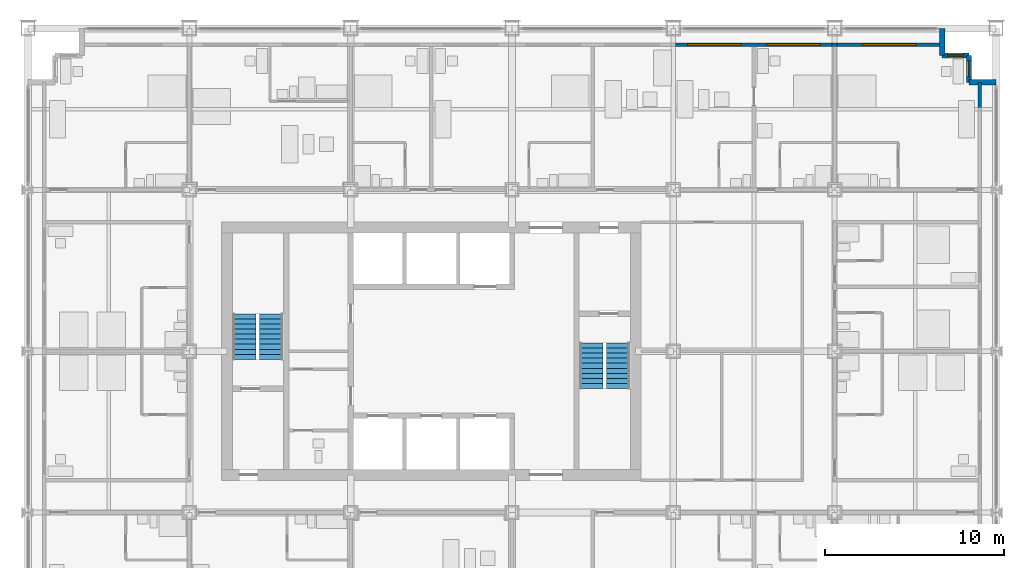
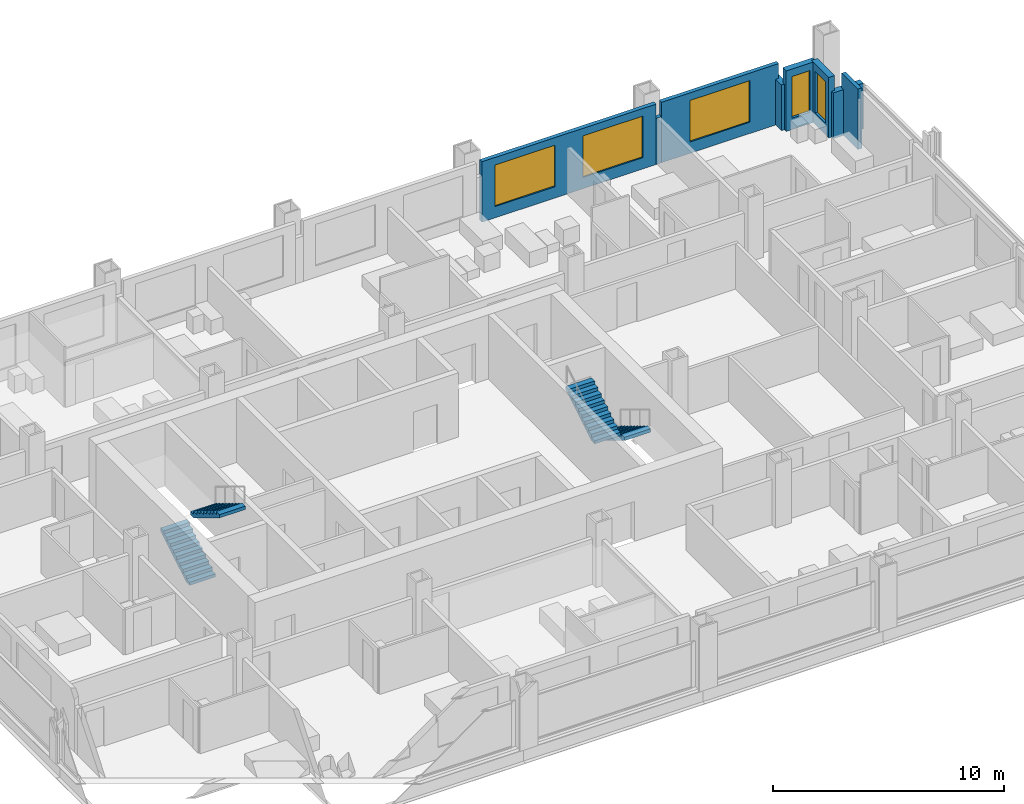
# One storey, part 15 of 18: 8 walls, 5 windows, 4 stair flights, 5 openings, 2 elements without a shape of their own.
"""IFC4 building model written with IfcOpenShell, lengths in metres."""

from ifc_helpers import new_model, si_unit, direction, frame, frame_2d, origin, place, context, subcontext, project, spatial, polyline, rectangle, outline, extrude, material, layer, layer_set, type_object, element, fill, aggregate, save


model = new_model("IFC4")

# Units and contexts
model_context = context("Model", 3, precision=1e-05, world=origin(), true_north=direction((0.0, 1.0)))
body_context = subcontext(model_context, "Body", "Model", "MODEL_VIEW")
ifc_project = project(units=[si_unit("LENGTHUNIT", "METRE"), si_unit("AREAUNIT", "SQUARE_METRE"), si_unit("VOLUMEUNIT", "CUBIC_METRE"), si_unit("PLANEANGLEUNIT", "RADIAN"), si_unit("MASSUNIT", "GRAM", prefix="KILO")], contexts=[model_context])

# Site, building, storey
site_placement = place(None, origin())
site = spatial("IfcSite", under=ifc_project, at=site_placement, CompositionType="ELEMENT")
building_placement = place(site_placement, origin())
building = spatial("IfcBuilding", under=site, at=building_placement, Name="Loomwork Tower", CompositionType="ELEMENT")
storey_placement = place(building_placement, frame((0.0, 0.0, 79.0)))
storey = spatial("IfcBuildingStorey", under=building, at=storey_placement, Name="L20", CompositionType="ELEMENT", Elevation=79.0)

# Wall, openings, windows
ifc_material_1 = material(Name="Insulated steel stud wall with gypsum lining", Category="steel")
ifc_layer_1 = layer(ifc_material_1, 0.199951171875)
ifc_layer_set_1 = layer_set([ifc_layer_1], Name="Inner skin wall 200")
wall_type_1 = type_object("IfcWallType", Name="Inner skin wall 200", PredefinedType="SOLIDWALL", material=ifc_layer_set_1)
wall_1_placement = place(storey_placement, frame((36.135498046875, 35.10009765625, 0.0), z_axis=(0.0, 0.0, 1.0), x_axis=(1.0, 0.0, 0.0)))
wall_1 = element("IfcWall", 1, at=wall_1_placement, inside=storey, type_object=wall_type_1, Name="Inner skin wall N bay 9", PredefinedType="SOLIDWALL", context=body_context, shape_type="SweptSolid", body=[
    extrude(rectangle(XDim=8.72900390625, YDim=0.199951171875, at=frame_2d((4.364501953125, 0.0))), origin(), (0.0, 0.0, 1.0), 3.199951171875),
])
opening_1_placement = place(wall_1_placement, frame((0.66455078125, 0.0, 0.60009765625)))
opening_1 = element("IfcOpeningElement", 2, at=opening_1_placement, cuts=wall_1, Name="Opening CH1", PredefinedType="OPENING", context=body_context, shape_type="SweptSolid", body=[
    extrude(rectangle(XDim=3.0, YDim=2.199951171875, at=frame_2d((1.5, 1.10009765625))), frame((0.0, 0.10986328125, 0.0), z_axis=(0.0, -1.0, 0.0), x_axis=(1.0, 0.0, 0.0)), (0.0, 0.0, 1.0), 0.219970703125),
])
opening_2_placement = place(wall_1_placement, frame((5.064697265625, 0.0, 0.60009765625)))
opening_2 = element("IfcOpeningElement", 3, at=opening_2_placement, cuts=wall_1, Name="Opening CH1", PredefinedType="OPENING", context=body_context, shape_type="SweptSolid", body=[
    extrude(rectangle(XDim=3.0, YDim=2.199951171875, at=frame_2d((1.5, 1.10009765625))), frame((0.0, 0.10986328125, 0.0), z_axis=(0.0, -1.0, 0.0), x_axis=(1.0, 0.0, 0.0)), (0.0, 0.0, 1.0), 0.219970703125),
])
ifc_material_2 = material(Name="Aluminium frame with clear insulated glass", Category="aluminium")
window_type_1 = type_object("IfcWindowType", Name="Chicago window 3000", PartitioningType="TRIPLE_PANEL_VERTICAL", PredefinedType="WINDOW", material=ifc_material_2)
window_1_placement = place(opening_1_placement, origin())
window_1 = element("IfcWindow", 4, at=window_1_placement, inside=storey, type_object=window_type_1, Name="Chicago window L20 bay 11", OverallHeight=2.199951171875, OverallWidth=3.0, PartitioningType="TRIPLE_PANEL_VERTICAL", PredefinedType="WINDOW", context=body_context, shape_type="SweptSolid", body=[
    extrude(rectangle(XDim=3.0, YDim=2.199951171875, at=frame_2d((1.5, 1.10009765625))), frame((0.0, 0.030029296875, 0.0), z_axis=(0.0, -1.0, 0.0), x_axis=(1.0, 0.0, 0.0)), (0.0, 0.0, 1.0), 0.06005859375),
])
fill(opening_1, window_1)
window_2_placement = place(opening_2_placement, origin())
window_2 = element("IfcWindow", 5, at=window_2_placement, inside=storey, type_object=window_type_1, Name="Chicago window L20 bay 11", OverallHeight=2.199951171875, OverallWidth=3.0, PartitioningType="TRIPLE_PANEL_VERTICAL", PredefinedType="WINDOW", context=body_context, shape_type="SweptSolid", body=[
    extrude(rectangle(XDim=3.0, YDim=2.199951171875, at=frame_2d((1.5, 1.10009765625))), frame((0.0, 0.030029296875, 0.0), z_axis=(0.0, -1.0, 0.0), x_axis=(1.0, 0.0, 0.0)), (0.0, 0.0, 1.0), 0.06005859375),
])
fill(opening_2, window_2)

# Wall
wall_2_placement = place(storey_placement, frame((44.864501953125, 35.10009765625, 0.0), z_axis=(0.0, 0.0, 1.0), x_axis=(1.0, 0.0, 0.0)))
element("IfcWall", 6, at=wall_2_placement, inside=storey, type_object=wall_type_1, Name="Inner skin wall N bay 10", PredefinedType="SOLIDWALL", context=body_context, shape_type="SweptSolid", body=[
    extrude(rectangle(XDim=0.27099609375, YDim=0.199951171875, at=frame_2d((0.135498046875, 0.0))), origin(), (0.0, 0.0, 1.0), 2.43798828125),
])

# Wall, opening, window
wall_3_placement = place(storey_placement, frame((45.135498046875, 35.10009765625, 0.0), z_axis=(0.0, 0.0, 1.0), x_axis=(1.0, 0.0, 0.0)))
wall_3 = element("IfcWall", 7, at=wall_3_placement, inside=storey, type_object=wall_type_1, Name="Inner skin wall N bay 11", PredefinedType="SOLIDWALL", context=body_context, shape_type="SweptSolid", body=[
    extrude(rectangle(XDim=5.864501953125, YDim=0.199951171875, at=frame_2d((2.93212890625, 0.0))), origin(), (0.0, 0.0, 1.0), 3.199951171875),
])
opening_3_placement = place(wall_3_placement, frame((1.41455078125, 0.0, 0.60009765625)))
opening_3 = element("IfcOpeningElement", 8, at=opening_3_placement, cuts=wall_3, Name="Opening CH1", PredefinedType="OPENING", context=body_context, shape_type="SweptSolid", body=[
    extrude(rectangle(XDim=3.0, YDim=2.199951171875, at=frame_2d((1.5, 1.10009765625))), frame((0.0, 0.10986328125, 0.0), z_axis=(0.0, -1.0, 0.0), x_axis=(1.0, 0.0, 0.0)), (0.0, 0.0, 1.0), 0.219970703125),
])
window_3_placement = place(opening_3_placement, origin())
window_3 = element("IfcWindow", 9, at=window_3_placement, inside=storey, type_object=window_type_1, Name="Chicago window L20 bay 12", OverallHeight=2.199951171875, OverallWidth=3.0, PartitioningType="TRIPLE_PANEL_VERTICAL", PredefinedType="WINDOW", context=body_context, shape_type="SweptSolid", body=[
    extrude(rectangle(XDim=3.0, YDim=2.199951171875, at=frame_2d((1.5, 1.10009765625))), frame((0.0, 0.030029296875, 0.0), z_axis=(0.0, -1.0, 0.0), x_axis=(1.0, 0.0, 0.0)), (0.0, 0.0, 1.0), 0.06005859375),
])
fill(opening_3, window_3)

# Walls
wall_4_placement = place(storey_placement, frame((53.10009765625, 31.607421875, 0.0), z_axis=(0.0, 0.0, 1.0), x_axis=(0.0, 1.0, 0.0)))
element("IfcWall", 10, at=wall_4_placement, inside=storey, type_object=wall_type_1, Name="Inner skin wall E bay 11", PredefinedType="SOLIDWALL", context=body_context, shape_type="SweptSolid", body=[
    extrude(rectangle(XDim=1.392578125, YDim=0.199951171875, at=frame_2d((0.6962890625, 0.0))), origin(), (0.0, 0.0, 1.0), 3.199951171875),
])
ifc_material_3 = material(Name="Limestone on concrete masonry", Category="masonry")
ifc_layer_2 = layer(ifc_material_3, 0.300048828125)
ifc_layer_set_2 = layer_set([ifc_layer_2], Name="Limestone corner wall 300")
wall_type_2 = type_object("IfcWallType", Name="Limestone corner wall 300", PredefinedType="SOLIDWALL", material=ifc_layer_set_2)
wall_5_placement = place(storey_placement, frame((54.0, 33.0, 0.0), z_axis=(0.0, 0.0, 1.0), x_axis=(-1.0, 0.0, 0.0)))
element("IfcWall", 11, at=wall_5_placement, inside=storey, type_object=wall_type_2, Name="Stone corner wall NE 1", PredefinedType="SOLIDWALL", context=body_context, shape_type="SweptSolid", body=[
    extrude(rectangle(XDim=1.5, YDim=0.300048828125, at=frame_2d((0.75, 0.0))), origin(), (0.0, 0.0, 1.0), 2.419921875),
])

# Wall, opening, window
wall_6_placement = place(storey_placement, frame((52.5, 33.0, 0.0), z_axis=(0.0, 0.0, 1.0), x_axis=(0.0, 1.0, 0.0)))
wall_6 = element("IfcWall", 12, at=wall_6_placement, inside=storey, type_object=wall_type_2, Name="Stone corner wall NE 2", PredefinedType="SOLIDWALL", context=body_context, shape_type="SweptSolid", body=[
    extrude(rectangle(XDim=1.5, YDim=0.300048828125, at=frame_2d((0.75, 0.0))), origin(), (0.0, 0.0, 1.0), 3.199951171875),
])
opening_4_placement = place(wall_6_placement, frame((0.300048828125, 0.0, 0.60009765625)))
opening_4 = element("IfcOpeningElement", 13, at=opening_4_placement, cuts=wall_6, Name="Opening CH2", PredefinedType="OPENING", context=body_context, shape_type="SweptSolid", body=[
    extrude(rectangle(XDim=0.89990234375, YDim=2.199951171875, at=frame_2d((0.449951171875, 1.10009765625))), frame((0.0, 0.159912109375, 0.0), z_axis=(0.0, -1.0, 0.0), x_axis=(1.0, 0.0, 0.0)), (0.0, 0.0, 1.0), 0.320068359375),
])
ifc_material_4 = material(Name="Aluminium frame with clear insulated glass", Category="aluminium")
window_type_2 = type_object("IfcWindowType", Name="Corner window 900", PartitioningType="SINGLE_PANEL", PredefinedType="WINDOW", material=ifc_material_4)
window_4_placement = place(opening_4_placement, origin())
window_4 = element("IfcWindow", 14, at=window_4_placement, inside=storey, type_object=window_type_2, Name="Corner window NE", OverallHeight=2.199951171875, OverallWidth=0.89990234375, PartitioningType="SINGLE_PANEL", PredefinedType="WINDOW", context=body_context, shape_type="SweptSolid", body=[
    extrude(rectangle(XDim=0.89990234375, YDim=2.199951171875, at=frame_2d((0.449951171875, 1.10009765625))), frame((0.0, 0.030029296875, 0.0), z_axis=(0.0, -1.0, 0.0), x_axis=(1.0, 0.0, 0.0)), (0.0, 0.0, 1.0), 0.06005859375),
])
fill(opening_4, window_4)

wall_7_placement = place(storey_placement, frame((52.5, 34.5, 0.0), z_axis=(0.0, 0.0, 1.0), x_axis=(-1.0, 0.0, 0.0)))
wall_7 = element("IfcWall", 15, at=wall_7_placement, inside=storey, type_object=wall_type_2, Name="Stone corner wall NE 3", PredefinedType="SOLIDWALL", context=body_context, shape_type="SweptSolid", body=[
    extrude(rectangle(XDim=1.5, YDim=0.300048828125, at=frame_2d((0.75, 0.0))), origin(), (0.0, 0.0, 1.0), 3.199951171875),
])
opening_5_placement = place(wall_7_placement, frame((0.300048828125, 0.0, 0.60009765625)))
opening_5 = element("IfcOpeningElement", 16, at=opening_5_placement, cuts=wall_7, Name="Opening CH2", PredefinedType="OPENING", context=body_context, shape_type="SweptSolid", body=[
    extrude(rectangle(XDim=0.89990234375, YDim=2.199951171875, at=frame_2d((0.449951171875, 1.10009765625))), frame((0.0, 0.159912109375, 0.0), z_axis=(0.0, -1.0, 0.0), x_axis=(1.0, 0.0, 0.0)), (0.0, 0.0, 1.0), 0.320068359375),
])
window_5_placement = place(opening_5_placement, origin())
window_5 = element("IfcWindow", 17, at=window_5_placement, inside=storey, type_object=window_type_2, Name="Corner window NE", OverallHeight=2.199951171875, OverallWidth=0.89990234375, PartitioningType="SINGLE_PANEL", PredefinedType="WINDOW", context=body_context, shape_type="SweptSolid", body=[
    extrude(rectangle(XDim=0.89990234375, YDim=2.199951171875, at=frame_2d((0.449951171875, 1.10009765625))), frame((0.0, 0.030029296875, 0.0), z_axis=(0.0, -1.0, 0.0), x_axis=(1.0, 0.0, 0.0)), (0.0, 0.0, 1.0), 0.06005859375),
])
fill(opening_5, window_5)

# Wall
wall_8_placement = place(storey_placement, frame((51.0, 34.5, 0.0), z_axis=(0.0, 0.0, 1.0), x_axis=(0.0, 1.0, 0.0)))
element("IfcWall", 18, at=wall_8_placement, inside=storey, type_object=wall_type_2, Name="Stone corner wall NE 4", PredefinedType="SOLIDWALL", context=body_context, shape_type="SweptSolid", body=[
    extrude(rectangle(XDim=1.5, YDim=0.300048828125, at=frame_2d((0.75, 0.0))), origin(), (0.0, 0.0, 1.0), 2.419921875),
])

# Stair, stair flights
ifc_material_5 = material(Name="Concrete 5000 psi (34 MPa) precast stair", Category="concrete")
stair_type_1 = type_object("IfcStairType", Name="Stair ST-A 20 risers 2850 wide", PredefinedType="HALF_TURN_STAIR", material=ifc_material_5)
stair_1_placement = place(storey_placement, origin())
stair_1 = element("IfcStair", 19, at=stair_1_placement, inside=storey, type_object=stair_type_1, Name="Stair A L20", PredefinedType="HALF_TURN_STAIR")
ifc_material_6 = material(Name="Concrete 5000 psi (34 MPa) precast stair", Category="concrete")
stair_flight_type_1 = type_object("IfcStairFlightType", Name="Stair flight ST-A 10 risers 1300 wide", PredefinedType="STRAIGHT", material=ifc_material_6)
stair_flight_1_placement = place(storey_placement, frame((12.074951171875, 17.550048828125, 0.0), z_axis=(0.0, 0.0, 1.0), x_axis=(0.0, 1.0, 0.0)))
stair_flight_1 = element("IfcStairFlight", 20, at=stair_flight_1_placement, type_object=stair_flight_type_1, Name="ST-A flight 1", NumberOfRisers=10, NumberOfTreads=9, PredefinedType="STRAIGHT", RiserHeight=0.17, TreadLength=0.28, context=body_context, shape_type="SweptSolid", body=[
    extrude(outline(polyline([(0.0, 0.0), (0.0, 0.169921875), (0.280029296875, 0.169921875), (0.280029296875, 0.340087890625), (0.56005859375, 0.340087890625), (0.56005859375, 0.510009765625), (0.840087890625, 0.510009765625), (0.840087890625, 0.679931640625), (1.1201171875, 0.679931640625), (1.1201171875, 0.85009765625), (1.39990234375, 0.85009765625), (1.39990234375, 1.02001953125), (1.679931640625, 1.02001953125), (1.679931640625, 1.18994140625), (1.9599609375, 1.18994140625), (1.9599609375, 1.360107421875), (2.239990234375, 1.360107421875), (2.239990234375, 1.530029296875), (2.52001953125, 1.530029296875), (2.52001953125, 1.699951171875), (2.52001953125, 1.354736328125), (0.288818359375, 0.0), (0.0, 0.0)])), frame((0.0, 0.64990234375, 0.0), z_axis=(0.0, -1.0, 0.0), x_axis=(1.0, 0.0, 0.0)), (0.0, 0.0, 1.0), 1.300048828125),
])
stair_flight_2_placement = place(storey_placement, frame((13.574951171875, 20.070068359375, 1.699951171875), z_axis=(0.0, 0.0, 1.0), x_axis=(0.0, -1.0, 0.0)))
stair_flight_2 = element("IfcStairFlight", 21, at=stair_flight_2_placement, type_object=stair_flight_type_1, Name="ST-A flight 2", NumberOfRisers=10, NumberOfTreads=9, PredefinedType="STRAIGHT", RiserHeight=0.17, TreadLength=0.28, context=body_context, shape_type="SweptSolid", body=[
    extrude(outline(polyline([(0.0, 0.0), (0.0, 0.169921875), (0.280029296875, 0.169921875), (0.280029296875, 0.340087890625), (0.56005859375, 0.340087890625), (0.56005859375, 0.510009765625), (0.840087890625, 0.510009765625), (0.840087890625, 0.679931640625), (1.1201171875, 0.679931640625), (1.1201171875, 0.85009765625), (1.39990234375, 0.85009765625), (1.39990234375, 1.02001953125), (1.679931640625, 1.02001953125), (1.679931640625, 1.18994140625), (1.9599609375, 1.18994140625), (1.9599609375, 1.360107421875), (2.239990234375, 1.360107421875), (2.239990234375, 1.530029296875), (2.52001953125, 1.530029296875), (2.52001953125, 1.699951171875), (2.52001953125, 1.354736328125), (0.288818359375, 0.0), (0.0, 0.0)])), frame((0.0, 0.64990234375, 0.0), z_axis=(0.0, -1.0, 0.0), x_axis=(1.0, 0.0, 0.0)), (0.0, 0.0, 1.0), 1.300048828125),
])
aggregate(stair_1, [stair_flight_1, stair_flight_2])

ifc_material_7 = material(Name="Concrete 5000 psi (34 MPa) precast stair", Category="concrete")
stair_type_2 = type_object("IfcStairType", Name="Stair ST-B 20 risers 2850 wide", PredefinedType="HALF_TURN_STAIR", material=ifc_material_7)
stair_2_placement = place(storey_placement, origin())
stair_2 = element("IfcStair", 22, at=stair_2_placement, inside=storey, type_object=stair_type_2, Name="Stair B L20", PredefinedType="HALF_TURN_STAIR")
ifc_material_8 = material(Name="Concrete 5000 psi (34 MPa) precast stair", Category="concrete")
stair_flight_type_2 = type_object("IfcStairFlightType", Name="Stair flight ST-B 10 risers 1300 wide", PredefinedType="STRAIGHT", material=ifc_material_8)
stair_flight_3_placement = place(storey_placement, frame((32.925048828125, 18.449951171875, 0.0), z_axis=(0.0, 0.0, 1.0), x_axis=(0.0, -1.0, 0.0)))
stair_flight_3 = element("IfcStairFlight", 23, at=stair_flight_3_placement, type_object=stair_flight_type_2, Name="ST-B flight 1", NumberOfRisers=10, NumberOfTreads=9, PredefinedType="STRAIGHT", RiserHeight=0.17, TreadLength=0.28, context=body_context, shape_type="SweptSolid", body=[
    extrude(outline(polyline([(0.0, 0.0), (0.0, 0.169921875), (0.280029296875, 0.169921875), (0.280029296875, 0.340087890625), (0.56005859375, 0.340087890625), (0.56005859375, 0.510009765625), (0.840087890625, 0.510009765625), (0.840087890625, 0.679931640625), (1.1201171875, 0.679931640625), (1.1201171875, 0.85009765625), (1.39990234375, 0.85009765625), (1.39990234375, 1.02001953125), (1.679931640625, 1.02001953125), (1.679931640625, 1.18994140625), (1.9599609375, 1.18994140625), (1.9599609375, 1.360107421875), (2.239990234375, 1.360107421875), (2.239990234375, 1.530029296875), (2.52001953125, 1.530029296875), (2.52001953125, 1.699951171875), (2.52001953125, 1.354736328125), (0.288818359375, 0.0), (0.0, 0.0)])), frame((0.0, 0.64990234375, 0.0), z_axis=(0.0, -1.0, 0.0), x_axis=(1.0, 0.0, 0.0)), (0.0, 0.0, 1.0), 1.300048828125),
])
stair_flight_4_placement = place(storey_placement, frame((31.425048828125, 15.929931640625, 1.699951171875), z_axis=(0.0, 0.0, 1.0), x_axis=(0.0, 1.0, 0.0)))
stair_flight_4 = element("IfcStairFlight", 24, at=stair_flight_4_placement, type_object=stair_flight_type_2, Name="ST-B flight 2", NumberOfRisers=10, NumberOfTreads=9, PredefinedType="STRAIGHT", RiserHeight=0.17, TreadLength=0.28, context=body_context, shape_type="SweptSolid", body=[
    extrude(outline(polyline([(0.0, 0.0), (0.0, 0.169921875), (0.280029296875, 0.169921875), (0.280029296875, 0.340087890625), (0.56005859375, 0.340087890625), (0.56005859375, 0.510009765625), (0.840087890625, 0.510009765625), (0.840087890625, 0.679931640625), (1.1201171875, 0.679931640625), (1.1201171875, 0.85009765625), (1.39990234375, 0.85009765625), (1.39990234375, 1.02001953125), (1.679931640625, 1.02001953125), (1.679931640625, 1.18994140625), (1.9599609375, 1.18994140625), (1.9599609375, 1.360107421875), (2.239990234375, 1.360107421875), (2.239990234375, 1.530029296875), (2.52001953125, 1.530029296875), (2.52001953125, 1.699951171875), (2.52001953125, 1.354736328125), (0.288818359375, 0.0), (0.0, 0.0)])), frame((0.0, 0.64990234375, 0.0), z_axis=(0.0, -1.0, 0.0), x_axis=(1.0, 0.0, 0.0)), (0.0, 0.0, 1.0), 1.300048828125),
])
aggregate(stair_2, [stair_flight_3, stair_flight_4])

save(model, "model.ifc")
